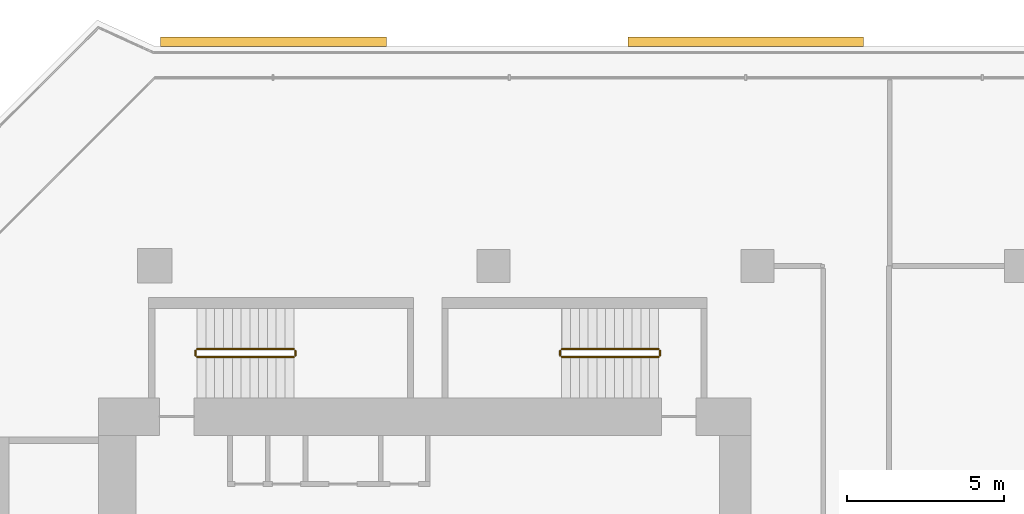
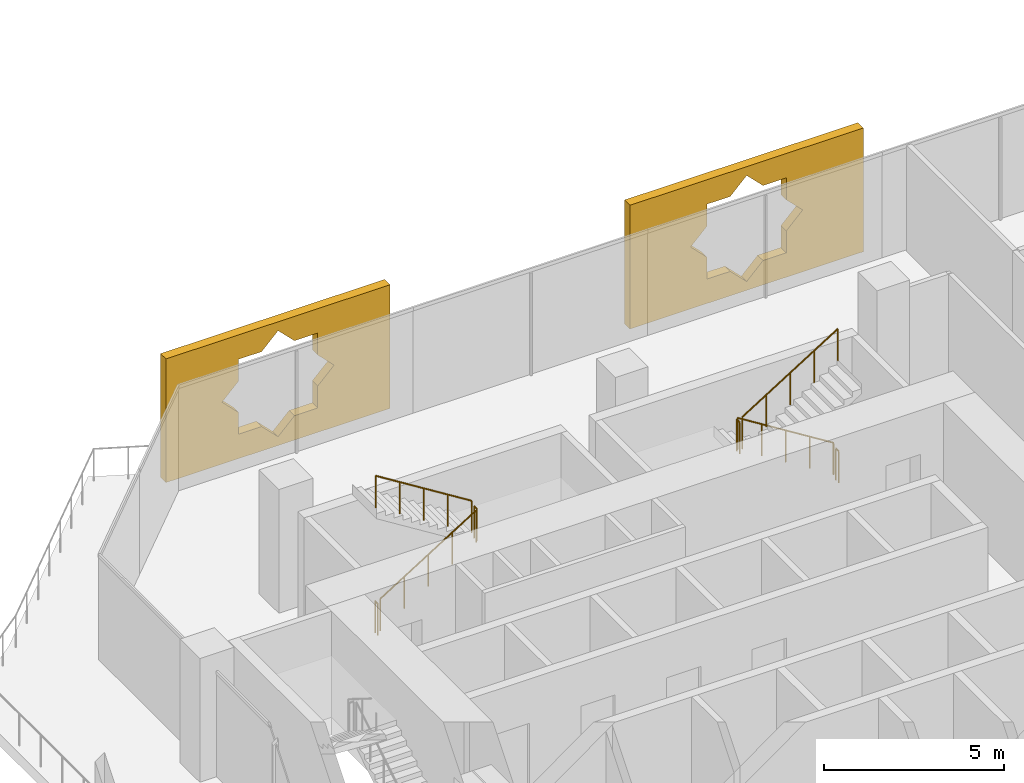
# One storey, part 23 of 25: 8 railings, 2 coverings.
"""IFC4 building model written with IfcOpenShell, lengths in metres."""

from ifc_helpers import new_model, si_unit, direction, frame, origin, origin_2d, place, context, subcontext, project, spatial, polyline, circle, outline, extrude, material, material_profile, profile_set, type_object, element, save


model = new_model("IFC4")

# Units and contexts
model_context = context("Model", 3, precision=1e-05, world=origin(), true_north=direction((0.0, 1.0)))
body_context = subcontext(model_context, "Body", "Model", "MODEL_VIEW")
ifc_project = project(units=[si_unit("LENGTHUNIT", "METRE"), si_unit("AREAUNIT", "SQUARE_METRE"), si_unit("VOLUMEUNIT", "CUBIC_METRE"), si_unit("PLANEANGLEUNIT", "RADIAN"), si_unit("MASSUNIT", "GRAM", prefix="KILO")], contexts=[model_context])

# Site, building, storey
site_placement = place(None, origin())
site = spatial("IfcSite", under=ifc_project, at=site_placement, CompositionType="ELEMENT")
building_placement = place(site_placement, origin())
building = spatial("IfcBuilding", under=site, at=building_placement, Name="Kawkab Arch Medical Tower", CompositionType="ELEMENT")
storey_placement = place(building_placement, frame((0.0, 0.0, 98.800048828125)))
storey = spatial("IfcBuildingStorey", under=building, at=storey_placement, Name="L22", CompositionType="ELEMENT", Elevation=98.800048828125)

# Coverings
ifc_material_1 = material(Name="Bronze anodised aluminium mashrabiya panel, eight-point star pattern", Category="aluminium")
ifc_material_profile_1 = material_profile(ifc_material_1, outline(polyline([(-3.60009765625, -2.10009765625), (3.60009765625, -2.10009765625), (3.60009765625, 2.10009765625), (-3.60009765625, 2.10009765625), (-3.60009765625, -2.10009765625)]), holes=[polyline([(1.800048828125, 0.0), (1.272705078125, 0.527099609375), (1.272705078125, 1.272705078125), (0.527099609375, 1.272705078125), (0.0, 1.800048828125), (-0.527099609375, 1.272705078125), (-1.272705078125, 1.272705078125), (-1.272705078125, 0.527099609375), (-1.800048828125, 0.0), (-1.272705078125, -0.527099609375), (-1.272705078125, -1.272705078125), (-0.527099609375, -1.272705078125), (0.0, -1.800048828125), (0.527099609375, -1.272705078125), (1.272705078125, -1.272705078125), (1.272705078125, -0.527099609375), (1.800048828125, 0.0)])]), Name="Mashrabiya panel 7200x4200")
ifc_profile_set_1 = profile_set([ifc_material_profile_1], Name="Bronze anodised aluminium mashrabiya panel, eight-point star pattern")
covering_type_1 = type_object("IfcCoveringType", Name="Mashrabiya panel 7200 x 4200", PredefinedType="USERDEFINED", material=ifc_profile_set_1)
covering_1_placement = place(storey_placement, frame((9.78466796875, 7.0, 1.699951171875), z_axis=(0.0, 1.0, 0.0), x_axis=(-1.0, 0.0, 0.0)))
element("IfcCovering", 1, at=covering_1_placement, inside=storey, type_object=covering_type_1, Name="Mashrabiya panel L22.LOG-01-01.4", ObjectType="SCREEN", PredefinedType="USERDEFINED", context=body_context, shape_type="SweptSolid", body=[
    extrude(outline(polyline([(-3.60009765625, -2.10009765625), (3.60009765625, -2.10009765625), (3.60009765625, 2.10009765625), (-3.60009765625, 2.10009765625), (-3.60009765625, -2.10009765625)]), holes=[polyline([(1.800048828125, 0.0), (1.272705078125, 0.527099609375), (1.272705078125, 1.272705078125), (0.527099609375, 1.272705078125), (0.0, 1.800048828125), (-0.527099609375, 1.272705078125), (-1.272705078125, 1.272705078125), (-1.272705078125, 0.527099609375), (-1.800048828125, 0.0), (-1.272705078125, -0.527099609375), (-1.272705078125, -1.272705078125), (-0.527099609375, -1.272705078125), (0.0, -1.800048828125), (0.527099609375, -1.272705078125), (1.272705078125, -1.272705078125), (1.272705078125, -0.527099609375), (1.800048828125, 0.0)])]), origin(), (0.0, 0.0, 1.0), 0.300048828125),
])
ifc_material_2 = material(Name="Bronze anodised aluminium mashrabiya panel, eight-point star pattern", Category="aluminium")
ifc_material_profile_2 = material_profile(ifc_material_2, outline(polyline([(-3.75, -2.10009765625), (3.75, -2.10009765625), (3.75, 2.10009765625), (-3.75, 2.10009765625), (-3.75, -2.10009765625)]), holes=[polyline([(1.800048828125, 0.0), (1.272705078125, 0.527099609375), (1.272705078125, 1.272705078125), (0.527099609375, 1.272705078125), (0.0, 1.800048828125), (-0.527099609375, 1.272705078125), (-1.272705078125, 1.272705078125), (-1.272705078125, 0.527099609375), (-1.800048828125, 0.0), (-1.272705078125, -0.527099609375), (-1.272705078125, -1.272705078125), (-0.527099609375, -1.272705078125), (0.0, -1.800048828125), (0.527099609375, -1.272705078125), (1.272705078125, -1.272705078125), (1.272705078125, -0.527099609375), (1.800048828125, 0.0)])]), Name="Mashrabiya panel 7500x4200")
ifc_profile_set_2 = profile_set([ifc_material_profile_2], Name="Bronze anodised aluminium mashrabiya panel, eight-point star pattern")
covering_type_2 = type_object("IfcCoveringType", Name="Mashrabiya panel 7500 x 4200", PredefinedType="USERDEFINED", material=ifc_profile_set_2)
covering_2_placement = place(storey_placement, frame((24.83251953125, 7.0, 1.699951171875), z_axis=(0.0, 1.0, 0.0), x_axis=(-1.0, 0.0, 0.0)))
element("IfcCovering", 2, at=covering_2_placement, inside=storey, type_object=covering_type_2, Name="Mashrabiya panel L22.LOG-01-01.5", ObjectType="SCREEN", PredefinedType="USERDEFINED", context=body_context, shape_type="SweptSolid", body=[
    extrude(outline(polyline([(-3.75, -2.10009765625), (3.75, -2.10009765625), (3.75, 2.10009765625), (-3.75, 2.10009765625), (-3.75, -2.10009765625)]), holes=[polyline([(1.800048828125, 0.0), (1.272705078125, 0.527099609375), (1.272705078125, 1.272705078125), (0.527099609375, 1.272705078125), (0.0, 1.800048828125), (-0.527099609375, 1.272705078125), (-1.272705078125, 1.272705078125), (-1.272705078125, 0.527099609375), (-1.800048828125, 0.0), (-1.272705078125, -0.527099609375), (-1.272705078125, -1.272705078125), (-0.527099609375, -1.272705078125), (0.0, -1.800048828125), (0.527099609375, -1.272705078125), (1.272705078125, -1.272705078125), (1.272705078125, -0.527099609375), (1.800048828125, 0.0)])]), origin(), (0.0, 0.0, 1.0), 0.300048828125),
])

# Railings
ifc_material_3 = material(Name="Stainless steel", Category="steel")
railing_type = type_object("IfcRailingType", Name="Stair guard 1100", PredefinedType="GUARDRAIL", material=ifc_material_3)
railing_1_placement = place(storey_placement, frame((7.35009765625, -2.89990234375, 0.175048828125)))
element("IfcRailing", 3, at=railing_1_placement, inside=storey, type_object=railing_type, Name="L22 ST3 stair guard 1", PredefinedType="GUARDRAIL", context=body_context, shape_type="SweptSolid", body=[
    extrude(circle(Radius=0.02392578125, at=origin_2d()), frame((0.0, 0.0, 1.076171875), z_axis=(0.848009633417, 0.0, 0.529980812513), x_axis=(0.0, 1.0, 0.0)), (0.0, 0.0, 1.0), 3.6318359375),
    extrude(circle(Radius=0.02099609375, at=origin_2d()), origin(), (0.0, 0.0, 1.0), 1.052001953125),
    extrude(circle(Radius=0.02099609375, at=origin_2d()), frame((0.77001953125, 0.0, 0.481201171875)), (0.0, 0.0, 1.0), 1.052001953125),
    extrude(circle(Radius=0.02099609375, at=origin_2d()), frame((1.5400390625, 0.0, 0.96240234375)), (0.0, 0.0, 1.0), 1.052001953125),
    extrude(circle(Radius=0.02099609375, at=origin_2d()), frame((2.309814453125, 0.0, 1.443603515625)), (0.0, 0.0, 1.0), 1.052001953125),
    extrude(circle(Radius=0.02099609375, at=origin_2d()), frame((3.079833984375, 0.0, 1.9248046875)), (0.0, 0.0, 1.0), 1.052001953125),
])
railing_2_placement = place(storey_placement, frame((10.47998046875, -2.85009765625, 2.099853515625)))
element("IfcRailing", 4, at=railing_2_placement, inside=storey, type_object=railing_type, Name="L22 ST3 stair guard 2", PredefinedType="GUARDRAIL", context=body_context, shape_type="SweptSolid", body=[
    extrude(circle(Radius=0.02392578125, at=origin_2d()), frame((0.0, 0.0, 1.076171875), z_axis=(0.0, 1.0, 0.0), x_axis=(-1.0, 0.0, 0.0)), (0.0, 0.0, 1.0), 0.150146484375),
    extrude(circle(Radius=0.02099609375, at=origin_2d()), origin(), (0.0, 0.0, 1.0), 1.052001953125),
    extrude(circle(Radius=0.02099609375, at=origin_2d()), frame((0.0, 0.150146484375, 0.0)), (0.0, 0.0, 1.0), 1.052001953125),
])
railing_3_placement = place(storey_placement, frame((10.429931640625, -2.64990234375, 2.27490234375)))
element("IfcRailing", 5, at=railing_3_placement, inside=storey, type_object=railing_type, Name="L22 ST3 stair guard 3", PredefinedType="GUARDRAIL", context=body_context, shape_type="SweptSolid", body=[
    extrude(circle(Radius=0.02392578125, at=origin_2d()), frame((0.0, 0.0, 1.076171875), z_axis=(-0.847979421464, 0.0, 0.530029150871), x_axis=(0.0, -1.0, 0.0)), (0.0, 0.0, 1.0), 3.632080078125),
    extrude(circle(Radius=0.02099609375, at=origin_2d()), origin(), (0.0, 0.0, 1.0), 1.052001953125),
    extrude(circle(Radius=0.02099609375, at=origin_2d()), frame((-0.77001953125, 0.0, 0.481201171875)), (0.0, 0.0, 1.0), 1.052001953125),
    extrude(circle(Radius=0.02099609375, at=origin_2d()), frame((-1.5400390625, 0.0, 0.96240234375)), (0.0, 0.0, 1.0), 1.052001953125),
    extrude(circle(Radius=0.02099609375, at=origin_2d()), frame((-2.309814453125, 0.0, 1.44384765625)), (0.0, 0.0, 1.0), 1.052001953125),
    extrude(circle(Radius=0.02099609375, at=origin_2d()), frame((-3.079833984375, 0.0, 1.925048828125)), (0.0, 0.0, 1.0), 1.052001953125),
])
railing_4_placement = place(storey_placement, frame((7.300048828125, -2.85009765625, 0.0)))
element("IfcRailing", 6, at=railing_4_placement, inside=storey, type_object=railing_type, Name="L22 ST3 stair guard 4", PredefinedType="GUARDRAIL", context=body_context, shape_type="SweptSolid", body=[
    extrude(circle(Radius=0.02392578125, at=origin_2d()), frame((0.0, 0.0, 1.076171875), z_axis=(0.0, 1.0, 0.0), x_axis=(-1.0, 0.0, 0.0)), (0.0, 0.0, 1.0), 0.150146484375),
    extrude(circle(Radius=0.02099609375, at=origin_2d()), origin(), (0.0, 0.0, 1.0), 1.052001953125),
    extrude(circle(Radius=0.02099609375, at=origin_2d()), frame((0.0, 0.150146484375, 0.0)), (0.0, 0.0, 1.0), 1.052001953125),
])
railing_5_placement = place(storey_placement, frame((22.050048828125, -2.64990234375, 0.175048828125)))
element("IfcRailing", 7, at=railing_5_placement, inside=storey, type_object=railing_type, Name="L22 ST4 stair guard 1", PredefinedType="GUARDRAIL", context=body_context, shape_type="SweptSolid", body=[
    extrude(circle(Radius=0.02392578125, at=origin_2d()), frame((0.0, 0.0, 1.076171875), z_axis=(-0.848028513186, 0.0, 0.529950602248), x_axis=(0.0, -1.0, 0.0)), (0.0, 0.0, 1.0), 3.632080078125),
    extrude(circle(Radius=0.02099609375, at=origin_2d()), origin(), (0.0, 0.0, 1.0), 1.052001953125),
    extrude(circle(Radius=0.02099609375, at=origin_2d()), frame((-0.77001953125, 0.0, 0.481201171875)), (0.0, 0.0, 1.0), 1.052001953125),
    extrude(circle(Radius=0.02099609375, at=origin_2d()), frame((-1.5400390625, 0.0, 0.96240234375)), (0.0, 0.0, 1.0), 1.052001953125),
    extrude(circle(Radius=0.02099609375, at=origin_2d()), frame((-2.31005859375, 0.0, 1.443603515625)), (0.0, 0.0, 1.0), 1.052001953125),
    extrude(circle(Radius=0.02099609375, at=origin_2d()), frame((-3.080078125, 0.0, 1.9248046875)), (0.0, 0.0, 1.0), 1.052001953125),
])
railing_6_placement = place(storey_placement, frame((18.919921875, -2.699951171875, 2.099853515625)))
element("IfcRailing", 8, at=railing_6_placement, inside=storey, type_object=railing_type, Name="L22 ST4 stair guard 2", PredefinedType="GUARDRAIL", context=body_context, shape_type="SweptSolid", body=[
    extrude(circle(Radius=0.02392578125, at=origin_2d()), frame((0.0, 0.0, 1.076171875), z_axis=(0.0, -1.0, 0.0), x_axis=(1.0, 0.0, 0.0)), (0.0, 0.0, 1.0), 0.150146484375),
    extrude(circle(Radius=0.02099609375, at=origin_2d()), origin(), (0.0, 0.0, 1.0), 1.052001953125),
    extrude(circle(Radius=0.02099609375, at=origin_2d()), frame((0.0, -0.150146484375, 0.0)), (0.0, 0.0, 1.0), 1.052001953125),
])
railing_7_placement = place(storey_placement, frame((18.969970703125, -2.89990234375, 2.27490234375)))
element("IfcRailing", 9, at=railing_7_placement, inside=storey, type_object=railing_type, Name="L22 ST4 stair guard 3", PredefinedType="GUARDRAIL", context=body_context, shape_type="SweptSolid", body=[
    extrude(circle(Radius=0.02392578125, at=origin_2d()), frame((0.0, 0.0, 1.076171875), z_axis=(0.847998304005, 0.0, 0.529998940003), x_axis=(0.0, 1.0, 0.0)), (0.0, 0.0, 1.0), 3.632080078125),
    extrude(circle(Radius=0.02099609375, at=origin_2d()), origin(), (0.0, 0.0, 1.0), 1.052001953125),
    extrude(circle(Radius=0.02099609375, at=origin_2d()), frame((0.77001953125, 0.0, 0.481201171875)), (0.0, 0.0, 1.0), 1.052001953125),
    extrude(circle(Radius=0.02099609375, at=origin_2d()), frame((1.5400390625, 0.0, 0.96240234375)), (0.0, 0.0, 1.0), 1.052001953125),
    extrude(circle(Radius=0.02099609375, at=origin_2d()), frame((2.31005859375, 0.0, 1.44384765625)), (0.0, 0.0, 1.0), 1.052001953125),
    extrude(circle(Radius=0.02099609375, at=origin_2d()), frame((3.080078125, 0.0, 1.925048828125)), (0.0, 0.0, 1.0), 1.052001953125),
])
railing_8_placement = place(storey_placement, frame((22.10009765625, -2.699951171875, 0.0)))
element("IfcRailing", 10, at=railing_8_placement, inside=storey, type_object=railing_type, Name="L22 ST4 stair guard 4", PredefinedType="GUARDRAIL", context=body_context, shape_type="SweptSolid", body=[
    extrude(circle(Radius=0.02392578125, at=origin_2d()), frame((0.0, 0.0, 1.076171875), z_axis=(0.0, -1.0, 0.0), x_axis=(1.0, 0.0, 0.0)), (0.0, 0.0, 1.0), 0.150146484375),
    extrude(circle(Radius=0.02099609375, at=origin_2d()), origin(), (0.0, 0.0, 1.0), 1.052001953125),
    extrude(circle(Radius=0.02099609375, at=origin_2d()), frame((0.0, -0.150146484375, 0.0)), (0.0, 0.0, 1.0), 1.052001953125),
])

save(model, "model.ifc")
